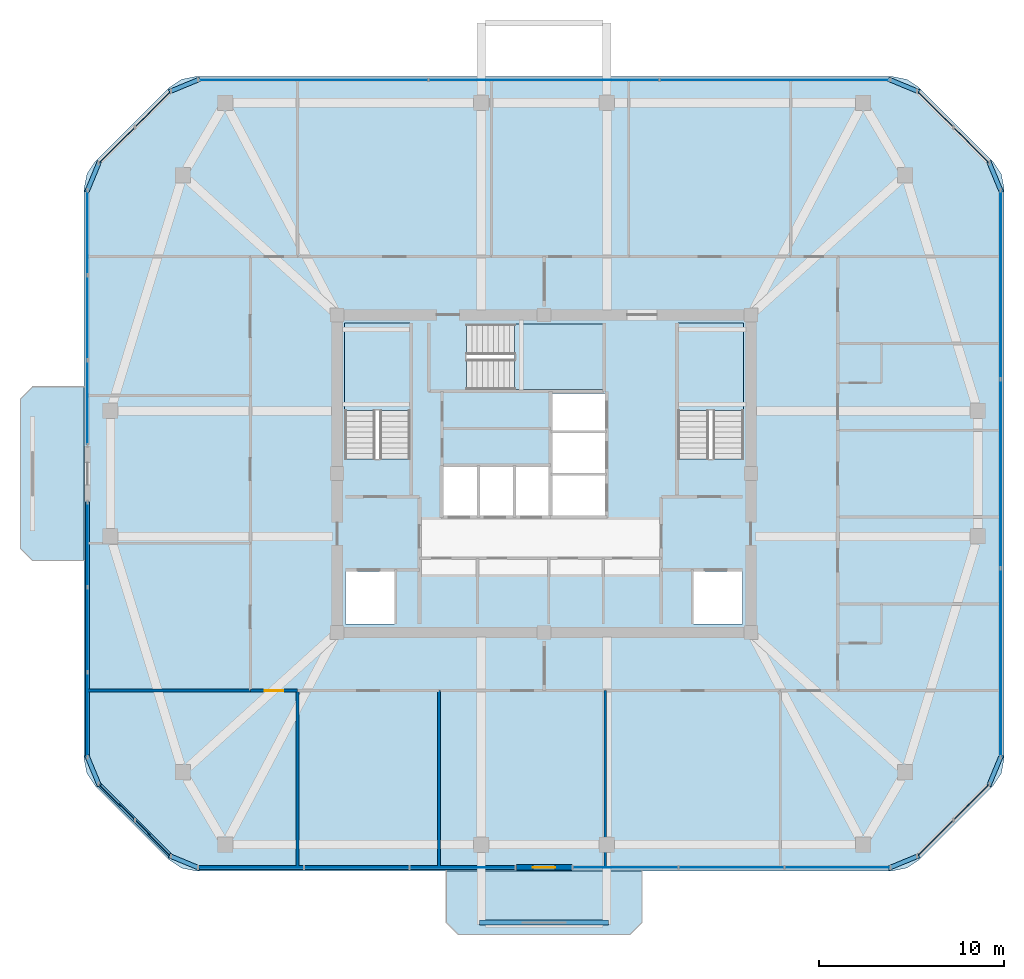
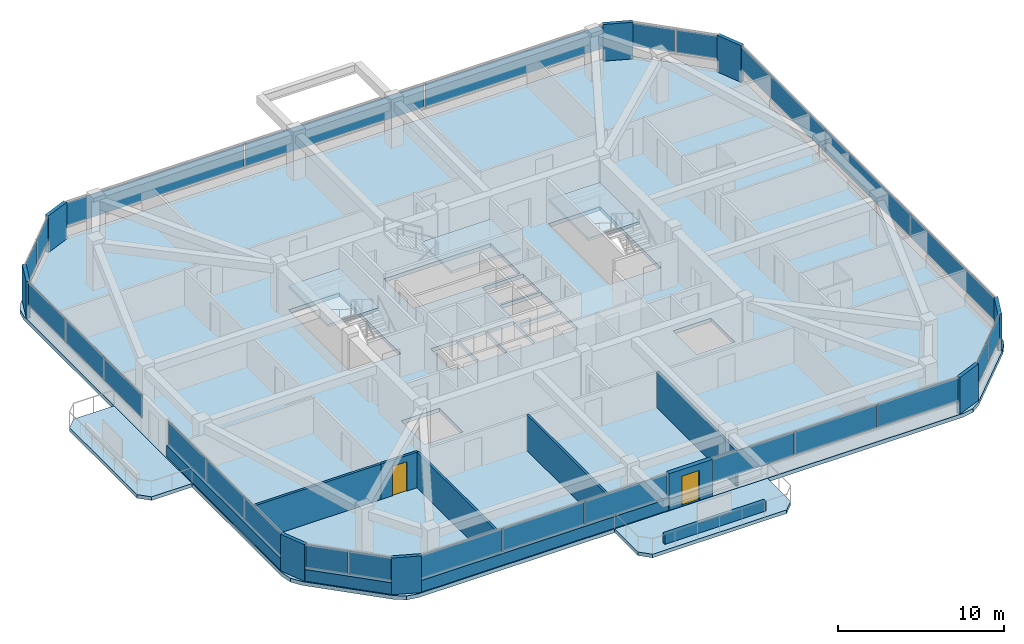
# One storey, part 7 of 13: 34 plates, 10 walls, 6 slabs, 2 doors, 2 openings, 13 elements without a shape of their own.
"""IFC4 building model written with IfcOpenShell, lengths in metres."""

from ifc_helpers import new_model, si_unit, derived_unit, direction, frame, frame_2d, origin, origin_2d, place, context, subcontext, project, spatial, polyline, rectangle, outline, extrude, material, layer, layer_set, type_object, element, fill, aggregate, save


model = new_model("IFC4")

# Units and contexts
model_context = context("Model", 3, precision=1e-05, world=origin(), true_north=direction((0.0, 1.0)))
body_context = subcontext(model_context, "Body", "Model", "MODEL_VIEW")
ifc_project = project(units=[si_unit("LENGTHUNIT", "METRE"), si_unit("AREAUNIT", "SQUARE_METRE"), si_unit("VOLUMEUNIT", "CUBIC_METRE"), si_unit("PLANEANGLEUNIT", "RADIAN"), si_unit("MASSUNIT", "GRAM", prefix="KILO"), derived_unit("THERMALTRANSMITTANCEUNIT", [(si_unit("POWERUNIT", "WATT"), 1), (si_unit("LENGTHUNIT", "METRE"), -2), (si_unit("THERMODYNAMICTEMPERATUREUNIT", "KELVIN"), -1)])], contexts=[model_context])

# Site, building, storey
site_placement = place(None, origin())
site = spatial("IfcSite", under=ifc_project, at=site_placement, CompositionType="ELEMENT")
building_placement = place(site_placement, origin())
building = spatial("IfcBuilding", under=site, at=building_placement, Name="Koralith Skygarden Medical Center", CompositionType="ELEMENT")
storey_placement = place(building_placement, frame((0.0, 0.0, 264.419921875)))
storey = spatial("IfcBuildingStorey", under=building, at=storey_placement, Name="L68", CompositionType="ELEMENT", Elevation=264.419921875)

# Curtain wall, plates
ifc_material_1 = material(Name="Clear Laminated Glass", Category="glass")
curtain_wall_type = type_object("IfcCurtainWallType", Name="CW-6 Zone 5 Upper Clinical Curtain Wall", PredefinedType="NOTDEFINED", material=ifc_material_1)
curtain_wall_1_placement = place(storey_placement, origin())
curtain_wall_1 = element("IfcCurtainWall", 1, at=curtain_wall_1_placement, inside=storey, type_object=curtain_wall_type, Name="Curtain Wall CW-L68-S-L", PredefinedType="NOTDEFINED")
ifc_layer_1 = layer(ifc_material_1, 0.0400390625)
ifc_layer_set_1 = layer_set([ifc_layer_1], Name="Clear Laminated Glass")
plate_type_1 = type_object("IfcPlateType", Name="CW-6 Hurricane Laminated IGU Panel 40", PredefinedType="CURTAIN_PANEL", material=ifc_layer_set_1)
plate_1_placement = place(storey_placement, frame((21.1220703125, 4.580078125, 0.919921875), z_axis=(0.0, 0.0, 1.0), x_axis=(1.0, 0.0, 0.0)))
plate_1 = element("IfcPlate", 2, at=plate_1_placement, type_object=plate_type_1, Name="CW-L68-S-L Glazed Panel 1", PredefinedType="CURTAIN_PANEL", context=body_context, shape_type="SweptSolid", body=[
    extrude(rectangle(XDim=5.64501953125, YDim=0.0400390625, at=origin_2d()), origin(), (0.0, 0.0, 1.0), 1.699951171875),
])
plate_2_placement = place(storey_placement, frame((26.85693359375, 4.580078125, 0.919921875), z_axis=(0.0, 0.0, 1.0), x_axis=(1.0, 0.0, 0.0)))
plate_2 = element("IfcPlate", 3, at=plate_2_placement, type_object=plate_type_1, Name="CW-L68-S-L Glazed Panel 2", PredefinedType="CURTAIN_PANEL", context=body_context, shape_type="SweptSolid", body=[
    extrude(rectangle(XDim=5.64501953125, YDim=0.0400390625, at=origin_2d()), origin(), (0.0, 0.0, 1.0), 1.699951171875),
])
plate_3_placement = place(storey_placement, frame((32.592041015625, 4.580078125, 0.919921875), z_axis=(0.0, 0.0, 1.0), x_axis=(1.0, 0.0, 0.0)))
plate_3 = element("IfcPlate", 4, at=plate_3_placement, type_object=plate_type_1, Name="CW-L68-S-L Glazed Panel 3", PredefinedType="CURTAIN_PANEL", context=body_context, shape_type="SweptSolid", body=[
    extrude(rectangle(XDim=5.64501953125, YDim=0.0400390625, at=origin_2d()), origin(), (0.0, 0.0, 1.0), 1.699951171875),
])
aggregate(curtain_wall_1, [plate_1, plate_2, plate_3])

curtain_wall_2_placement = place(storey_placement, origin())
curtain_wall_2 = element("IfcCurtainWall", 5, at=curtain_wall_2_placement, inside=storey, type_object=curtain_wall_type, Name="Curtain Wall CW-L68-S-R", PredefinedType="NOTDEFINED")
plate_4_placement = place(storey_placement, frame((41.406982421875, 4.580078125, 0.919921875), z_axis=(0.0, 0.0, 1.0), x_axis=(1.0, 0.0, 0.0)))
plate_4 = element("IfcPlate", 6, at=plate_4_placement, type_object=plate_type_1, Name="CW-L68-S-R Glazed Panel 1", PredefinedType="CURTAIN_PANEL", context=body_context, shape_type="SweptSolid", body=[
    extrude(rectangle(XDim=5.64501953125, YDim=0.0400390625, at=origin_2d()), origin(), (0.0, 0.0, 1.0), 1.699951171875),
])
plate_5_placement = place(storey_placement, frame((47.14208984375, 4.580078125, 0.919921875), z_axis=(0.0, 0.0, 1.0), x_axis=(1.0, 0.0, 0.0)))
plate_5 = element("IfcPlate", 7, at=plate_5_placement, type_object=plate_type_1, Name="CW-L68-S-R Glazed Panel 2", PredefinedType="CURTAIN_PANEL", context=body_context, shape_type="SweptSolid", body=[
    extrude(rectangle(XDim=5.64501953125, YDim=0.0400390625, at=origin_2d()), origin(), (0.0, 0.0, 1.0), 1.699951171875),
])
plate_6_placement = place(storey_placement, frame((52.876953125, 4.580078125, 0.919921875), z_axis=(0.0, 0.0, 1.0), x_axis=(1.0, 0.0, 0.0)))
plate_6 = element("IfcPlate", 8, at=plate_6_placement, type_object=plate_type_1, Name="CW-L68-S-R Glazed Panel 3", PredefinedType="CURTAIN_PANEL", context=body_context, shape_type="SweptSolid", body=[
    extrude(rectangle(XDim=5.64501953125, YDim=0.0400390625, at=origin_2d()), origin(), (0.0, 0.0, 1.0), 1.699951171875),
])
aggregate(curtain_wall_2, [plate_4, plate_5, plate_6])

curtain_wall_3_placement = place(storey_placement, origin())
curtain_wall_3 = element("IfcCurtainWall", 9, at=curtain_wall_3_placement, inside=storey, type_object=curtain_wall_type, Name="Curtain Wall CW-L68-SE", PredefinedType="NOTDEFINED")
plate_7_placement = place(storey_placement, frame((58.177001953125, 6.162109375, 0.919921875), z_axis=(0.0, 0.0, 1.0), x_axis=(0.707106781187, 0.707106781187, 0.0)))
plate_7 = element("IfcPlate", 10, at=plate_7_placement, type_object=plate_type_1, Name="CW-L68-SE Glazed Panel 1", PredefinedType="CURTAIN_PANEL", context=body_context, shape_type="SweptSolid", body=[
    extrude(rectangle(XDim=2.68408203125, YDim=0.0400390625, at=origin_2d()), origin(), (0.0, 0.0, 1.0), 1.699951171875),
])
plate_8_placement = place(storey_placement, frame((60.137939453125, 8.123046875, 0.919921875), z_axis=(0.0, 0.0, 1.0), x_axis=(0.707106781187, 0.707106781187, 0.0)))
plate_8 = element("IfcPlate", 11, at=plate_8_placement, type_object=plate_type_1, Name="CW-L68-SE Glazed Panel 2", PredefinedType="CURTAIN_PANEL", context=body_context, shape_type="SweptSolid", body=[
    extrude(rectangle(XDim=2.68408203125, YDim=0.0400390625, at=origin_2d()), origin(), (0.0, 0.0, 1.0), 1.699951171875),
])
aggregate(curtain_wall_3, [plate_7, plate_8])

curtain_wall_4_placement = place(storey_placement, origin())
curtain_wall_4 = element("IfcCurtainWall", 12, at=curtain_wall_4_placement, inside=storey, type_object=curtain_wall_type, Name="Curtain Wall CW-L68-E", PredefinedType="NOTDEFINED")
plate_9_placement = place(storey_placement, frame((61.719970703125, 15.669921875, 0.919921875), z_axis=(0.0, 0.0, 1.0), x_axis=(0.0, 1.0, 0.0)))
plate_9 = element("IfcPlate", 13, at=plate_9_placement, type_object=plate_type_1, Name="CW-L68-E Glazed Panel 1", PredefinedType="CURTAIN_PANEL", context=body_context, shape_type="SweptSolid", body=[
    extrude(rectangle(XDim=10.139892578125, YDim=0.0400390625, at=origin_2d()), origin(), (0.0, 0.0, 1.0), 1.699951171875),
])
plate_10_placement = place(storey_placement, frame((61.719970703125, 25.89990234375, 0.919921875), z_axis=(0.0, 0.0, 1.0), x_axis=(0.0, 1.0, 0.0)))
plate_10 = element("IfcPlate", 14, at=plate_10_placement, type_object=plate_type_1, Name="CW-L68-E Glazed Panel 2", PredefinedType="CURTAIN_PANEL", context=body_context, shape_type="SweptSolid", body=[
    extrude(rectangle(XDim=10.139892578125, YDim=0.0400390625, at=origin_2d()), origin(), (0.0, 0.0, 1.0), 1.699951171875),
])
plate_11_placement = place(storey_placement, frame((61.719970703125, 36.1298828125, 0.919921875), z_axis=(0.0, 0.0, 1.0), x_axis=(0.0, 1.0, 0.0)))
plate_11 = element("IfcPlate", 15, at=plate_11_placement, type_object=plate_type_1, Name="CW-L68-E Glazed Panel 3", PredefinedType="CURTAIN_PANEL", context=body_context, shape_type="SweptSolid", body=[
    extrude(rectangle(XDim=10.139892578125, YDim=0.0400390625, at=origin_2d()), origin(), (0.0, 0.0, 1.0), 1.699951171875),
])
aggregate(curtain_wall_4, [plate_9, plate_10, plate_11])

curtain_wall_5_placement = place(storey_placement, origin())
curtain_wall_5 = element("IfcCurtainWall", 16, at=curtain_wall_5_placement, inside=storey, type_object=curtain_wall_type, Name="Curtain Wall CW-L68-NE", PredefinedType="NOTDEFINED")
plate_12_placement = place(storey_placement, frame((60.137939453125, 43.677001953125, 0.919921875), z_axis=(0.0, 0.0, 1.0), x_axis=(-0.707106781187, 0.707106781187, 0.0)))
plate_12 = element("IfcPlate", 17, at=plate_12_placement, type_object=plate_type_1, Name="CW-L68-NE Glazed Panel 1", PredefinedType="CURTAIN_PANEL", context=body_context, shape_type="SweptSolid", body=[
    extrude(rectangle(XDim=2.68408203125, YDim=0.0400390625, at=origin_2d()), origin(), (0.0, 0.0, 1.0), 1.699951171875),
])
plate_13_placement = place(storey_placement, frame((58.177001953125, 45.637939453125, 0.919921875), z_axis=(0.0, 0.0, 1.0), x_axis=(-0.707106781187, 0.707106781187, 0.0)))
plate_13 = element("IfcPlate", 18, at=plate_13_placement, type_object=plate_type_1, Name="CW-L68-NE Glazed Panel 2", PredefinedType="CURTAIN_PANEL", context=body_context, shape_type="SweptSolid", body=[
    extrude(rectangle(XDim=2.68408203125, YDim=0.0400390625, at=origin_2d()), origin(), (0.0, 0.0, 1.0), 1.699951171875),
])
aggregate(curtain_wall_5, [plate_12, plate_13])

curtain_wall_6_placement = place(storey_placement, origin())
curtain_wall_6 = element("IfcCurtainWall", 19, at=curtain_wall_6_placement, inside=storey, type_object=curtain_wall_type, Name="Curtain Wall CW-L68-N", PredefinedType="NOTDEFINED")
plate_14_placement = place(storey_placement, frame((49.4970703125, 47.219970703125, 0.919921875), z_axis=(0.0, 0.0, 1.0), x_axis=(-1.0, 0.0, 0.0)))
plate_14 = element("IfcPlate", 20, at=plate_14_placement, type_object=plate_type_1, Name="CW-L68-N Glazed Panel 1", PredefinedType="CURTAIN_PANEL", context=body_context, shape_type="SweptSolid", body=[
    extrude(rectangle(XDim=12.406982421875, YDim=0.0400390625, at=origin_2d()), origin(), (0.0, 0.0, 1.0), 1.699951171875),
])
plate_15_placement = place(storey_placement, frame((37.0, 47.219970703125, 0.919921875), z_axis=(0.0, 0.0, 1.0), x_axis=(-1.0, 0.0, 0.0)))
plate_15 = element("IfcPlate", 21, at=plate_15_placement, type_object=plate_type_1, Name="CW-L68-N Glazed Panel 2", PredefinedType="CURTAIN_PANEL", context=body_context, shape_type="SweptSolid", body=[
    extrude(rectangle(XDim=12.406982421875, YDim=0.0400390625, at=origin_2d()), origin(), (0.0, 0.0, 1.0), 1.699951171875),
])
plate_16_placement = place(storey_placement, frame((24.5029296875, 47.219970703125, 0.919921875), z_axis=(0.0, 0.0, 1.0), x_axis=(-1.0, 0.0, 0.0)))
plate_16 = element("IfcPlate", 22, at=plate_16_placement, type_object=plate_type_1, Name="CW-L68-N Glazed Panel 3", PredefinedType="CURTAIN_PANEL", context=body_context, shape_type="SweptSolid", body=[
    extrude(rectangle(XDim=12.406982421875, YDim=0.0400390625, at=origin_2d()), origin(), (0.0, 0.0, 1.0), 1.699951171875),
])
aggregate(curtain_wall_6, [plate_14, plate_15, plate_16])

curtain_wall_7_placement = place(storey_placement, origin())
curtain_wall_7 = element("IfcCurtainWall", 23, at=curtain_wall_7_placement, inside=storey, type_object=curtain_wall_type, Name="Curtain Wall CW-L68-NW", PredefinedType="NOTDEFINED")
plate_17_placement = place(storey_placement, frame((15.822998046875, 45.637939453125, 0.919921875), z_axis=(0.0, 0.0, 1.0), x_axis=(-0.707106781187, -0.707106781187, 0.0)))
plate_17 = element("IfcPlate", 24, at=plate_17_placement, type_object=plate_type_1, Name="CW-L68-NW Glazed Panel 1", PredefinedType="CURTAIN_PANEL", context=body_context, shape_type="SweptSolid", body=[
    extrude(rectangle(XDim=2.68408203125, YDim=0.0400390625, at=origin_2d()), origin(), (0.0, 0.0, 1.0), 1.699951171875),
])
plate_18_placement = place(storey_placement, frame((13.862060546875, 43.677001953125, 0.919921875), z_axis=(0.0, 0.0, 1.0), x_axis=(-0.707106781187, -0.707106781187, 0.0)))
plate_18 = element("IfcPlate", 25, at=plate_18_placement, type_object=plate_type_1, Name="CW-L68-NW Glazed Panel 2", PredefinedType="CURTAIN_PANEL", context=body_context, shape_type="SweptSolid", body=[
    extrude(rectangle(XDim=2.68408203125, YDim=0.0400390625, at=origin_2d()), origin(), (0.0, 0.0, 1.0), 1.699951171875),
])
aggregate(curtain_wall_7, [plate_17, plate_18])

curtain_wall_8_placement = place(storey_placement, origin())
curtain_wall_8 = element("IfcCurtainWall", 26, at=curtain_wall_8_placement, inside=storey, type_object=curtain_wall_type, Name="Curtain Wall CW-L68-W-L", PredefinedType="NOTDEFINED")
plate_19_placement = place(storey_placement, frame((12.280029296875, 38.944091796875, 0.919921875), z_axis=(0.0, 0.0, 1.0), x_axis=(0.0, -1.0, 0.0)))
plate_19 = element("IfcPlate", 27, at=plate_19_placement, type_object=plate_type_1, Name="CW-L68-W-L Glazed Panel 1", PredefinedType="CURTAIN_PANEL", context=body_context, shape_type="SweptSolid", body=[
    extrude(rectangle(XDim=4.511962890625, YDim=0.0400390625, at=origin_2d()), origin(), (0.0, 0.0, 1.0), 1.699951171875),
])
plate_20_placement = place(storey_placement, frame((12.280029296875, 34.343017578125, 0.919921875), z_axis=(0.0, 0.0, 1.0), x_axis=(0.0, -1.0, 0.0)))
plate_20 = element("IfcPlate", 28, at=plate_20_placement, type_object=plate_type_1, Name="CW-L68-W-L Glazed Panel 2", PredefinedType="CURTAIN_PANEL", context=body_context, shape_type="SweptSolid", body=[
    extrude(rectangle(XDim=4.511962890625, YDim=0.0400390625, at=origin_2d()), origin(), (0.0, 0.0, 1.0), 1.699951171875),
])
plate_21_placement = place(storey_placement, frame((12.280029296875, 29.740966796875, 0.919921875), z_axis=(0.0, 0.0, 1.0), x_axis=(0.0, -1.0, 0.0)))
plate_21 = element("IfcPlate", 29, at=plate_21_placement, type_object=plate_type_1, Name="CW-L68-W-L Glazed Panel 3", PredefinedType="CURTAIN_PANEL", context=body_context, shape_type="SweptSolid", body=[
    extrude(rectangle(XDim=4.511962890625, YDim=0.0400390625, at=origin_2d()), origin(), (0.0, 0.0, 1.0), 1.699951171875),
])
aggregate(curtain_wall_8, [plate_19, plate_20, plate_21])

curtain_wall_9_placement = place(storey_placement, origin())
curtain_wall_9 = element("IfcCurtainWall", 30, at=curtain_wall_9_placement, inside=storey, type_object=curtain_wall_type, Name="Curtain Wall CW-L68-W-R", PredefinedType="NOTDEFINED")
plate_22_placement = place(storey_placement, frame((12.280029296875, 22.05908203125, 0.919921875), z_axis=(0.0, 0.0, 1.0), x_axis=(0.0, -1.0, 0.0)))
plate_22 = element("IfcPlate", 31, at=plate_22_placement, type_object=plate_type_1, Name="CW-L68-W-R Glazed Panel 1", PredefinedType="CURTAIN_PANEL", context=body_context, shape_type="SweptSolid", body=[
    extrude(rectangle(XDim=4.511962890625, YDim=0.0400390625, at=origin_2d()), origin(), (0.0, 0.0, 1.0), 1.699951171875),
])
plate_23_placement = place(storey_placement, frame((12.280029296875, 17.45703125, 0.919921875), z_axis=(0.0, 0.0, 1.0), x_axis=(0.0, -1.0, 0.0)))
plate_23 = element("IfcPlate", 32, at=plate_23_placement, type_object=plate_type_1, Name="CW-L68-W-R Glazed Panel 2", PredefinedType="CURTAIN_PANEL", context=body_context, shape_type="SweptSolid", body=[
    extrude(rectangle(XDim=4.511962890625, YDim=0.0400390625, at=origin_2d()), origin(), (0.0, 0.0, 1.0), 1.699951171875),
])
plate_24_placement = place(storey_placement, frame((12.280029296875, 12.85595703125, 0.919921875), z_axis=(0.0, 0.0, 1.0), x_axis=(0.0, -1.0, 0.0)))
plate_24 = element("IfcPlate", 33, at=plate_24_placement, type_object=plate_type_1, Name="CW-L68-W-R Glazed Panel 3", PredefinedType="CURTAIN_PANEL", context=body_context, shape_type="SweptSolid", body=[
    extrude(rectangle(XDim=4.511962890625, YDim=0.0400390625, at=origin_2d()), origin(), (0.0, 0.0, 1.0), 1.699951171875),
])
aggregate(curtain_wall_9, [plate_22, plate_23, plate_24])

curtain_wall_10_placement = place(storey_placement, origin())
curtain_wall_10 = element("IfcCurtainWall", 34, at=curtain_wall_10_placement, inside=storey, type_object=curtain_wall_type, Name="Curtain Wall CW-L68-SW", PredefinedType="NOTDEFINED")
plate_25_placement = place(storey_placement, frame((13.862060546875, 8.123046875, 0.919921875), z_axis=(0.0, 0.0, 1.0), x_axis=(0.707106781187, -0.707106781187, 0.0)))
plate_25 = element("IfcPlate", 35, at=plate_25_placement, type_object=plate_type_1, Name="CW-L68-SW Glazed Panel 1", PredefinedType="CURTAIN_PANEL", context=body_context, shape_type="SweptSolid", body=[
    extrude(rectangle(XDim=2.68408203125, YDim=0.0400390625, at=origin_2d()), origin(), (0.0, 0.0, 1.0), 1.699951171875),
])
plate_26_placement = place(storey_placement, frame((15.822998046875, 6.162109375, 0.919921875), z_axis=(0.0, 0.0, 1.0), x_axis=(0.707106781187, -0.707106781187, 0.0)))
plate_26 = element("IfcPlate", 36, at=plate_26_placement, type_object=plate_type_1, Name="CW-L68-SW Glazed Panel 2", PredefinedType="CURTAIN_PANEL", context=body_context, shape_type="SweptSolid", body=[
    extrude(rectangle(XDim=2.68408203125, YDim=0.0400390625, at=origin_2d()), origin(), (0.0, 0.0, 1.0), 1.699951171875),
])
aggregate(curtain_wall_10, [plate_25, plate_26])

# Slabs
ifc_material_2 = material(Name="Concrete C45/55", Category="concrete")
ifc_layer_2 = layer(ifc_material_2, 0.260009765625)
ifc_layer_set_2 = layer_set([ifc_layer_2], Name="Concrete C45/55")
slab_type_1 = type_object("IfcSlabType", Name="Cantilevered Planted Balcony Slab 260", PredefinedType="FLOOR", material=ifc_layer_set_2)
slab_1_placement = place(storey_placement, frame((0.0, 0.0, -0.260009765625)))
element("IfcSlab", 37, at=slab_1_placement, inside=storey, type_object=slab_type_1, Name="L68 S Planted Sky-Garden Balcony Slab", PredefinedType="FLOOR", context=body_context, shape_type="SweptSolid", body=[
    extrude(outline(polyline([(32.35009765625, 0.949951171875), (41.64990234375, 0.949951171875), (42.300048828125, 1.60009765625), (42.300048828125, 4.39990234375), (31.699951171875, 4.39990234375), (31.699951171875, 1.60009765625), (32.35009765625, 0.949951171875)])), origin(), (0.0, 0.0, 1.0), 0.260009765625),
])
slab_2_placement = place(storey_placement, frame((0.0, 0.0, -0.260009765625)))
element("IfcSlab", 38, at=slab_2_placement, inside=storey, type_object=slab_type_1, Name="L68 W Planted Sky-Garden Balcony Slab", PredefinedType="FLOOR", context=body_context, shape_type="SweptSolid", body=[
    extrude(outline(polyline([(9.300048828125, 21.199951171875), (12.10009765625, 21.199951171875), (12.10009765625, 30.60009765625), (9.300048828125, 30.60009765625), (8.64990234375, 29.949951171875), (8.64990234375, 21.85009765625), (9.300048828125, 21.199951171875)])), origin(), (0.0, 0.0, 1.0), 0.260009765625),
])

# Stair, slab
stair_type = type_object("IfcStairType", Name="Core Exit Dogleg Concrete Stair", PredefinedType="HALF_TURN_STAIR", material=ifc_material_2)
stair_1_placement = place(storey_placement, origin())
stair_1 = element("IfcStair", 39, at=stair_1_placement, inside=storey, type_object=stair_type, Name="L68 Smokeproof Exit Stair ST1", PredefinedType="HALF_TURN_STAIR")
ifc_layer_3 = layer(ifc_material_2, 0.199951171875)
ifc_layer_set_3 = layer_set([ifc_layer_3], Name="Concrete C45/55")
slab_type_2 = type_object("IfcSlabType", Name="Core Exit Concrete Stair Landing 200", PredefinedType="LANDING", material=ifc_layer_set_3)
slab_3_placement = place(storey_placement, frame((0.0, 0.0, 1.60009765625)))
slab_3 = element("IfcSlab", 40, at=slab_3_placement, type_object=slab_type_2, Name="ST1 landing 1", PredefinedType="LANDING", context=body_context, shape_type="SweptSolid", body=[
    extrude(outline(polyline([(29.75, 29.31005859375), (29.75, 34.050048828125), (26.199951171875, 34.050048828125), (26.199951171875, 29.31005859375), (29.75, 29.31005859375)])), origin(), (0.0, 0.0, 1.0), 0.199951171875),
])
aggregate(stair_1, [slab_3])

stair_2_placement = place(storey_placement, origin())
stair_2 = element("IfcStair", 41, at=stair_2_placement, inside=storey, type_object=stair_type, Name="L68 Smokeproof Exit Stair ST2", PredefinedType="HALF_TURN_STAIR")
slab_4_placement = place(storey_placement, frame((0.0, 0.0, 1.60009765625)))
slab_4 = element("IfcSlab", 42, at=slab_4_placement, type_object=slab_type_2, Name="ST2 landing 1", PredefinedType="LANDING", context=body_context, shape_type="SweptSolid", body=[
    extrude(outline(polyline([(47.800048828125, 29.31005859375), (47.800048828125, 34.050048828125), (44.25, 34.050048828125), (44.25, 29.31005859375), (47.800048828125, 29.31005859375)])), origin(), (0.0, 0.0, 1.0), 0.199951171875),
])
aggregate(stair_2, [slab_4])

stair_3_placement = place(storey_placement, origin())
stair_3 = element("IfcStair", 43, at=stair_3_placement, inside=storey, type_object=stair_type, Name="L68 Smokeproof Exit Stair ST3", PredefinedType="HALF_TURN_STAIR")
slab_5_placement = place(storey_placement, frame((0.0, 0.0, 1.60009765625)))
slab_5 = element("IfcSlab", 44, at=slab_5_placement, type_object=slab_type_2, Name="ST3 landing 1", PredefinedType="LANDING", context=body_context, shape_type="SweptSolid", body=[
    extrude(outline(polyline([(35.409912109375, 30.449951171875), (40.199951171875, 30.449951171875), (40.199951171875, 34.0), (35.409912109375, 34.0), (35.409912109375, 30.449951171875)])), origin(), (0.0, 0.0, 1.0), 0.199951171875),
])
aggregate(stair_3, [slab_5])

# Slab
ifc_layer_4 = layer(ifc_material_2, 0.280029296875)
ifc_layer_set_4 = layer_set([ifc_layer_4], Name="Concrete C45/55")
slab_type_3 = type_object("IfcSlabType", Name="Post-Tensioned Ward Floor Plate 280", PredefinedType="FLOOR", material=ifc_layer_set_4)
slab_6_placement = place(storey_placement, frame((0.0, 0.0, -0.280029296875)))
element("IfcSlab", 45, at=slab_6_placement, inside=storey, type_object=slab_type_3, Name="Level L68 Structural Floor Slab", PredefinedType="FLOOR", context=body_context, shape_type="SweptSolid", body=[
    extrude(outline(polyline([(16.714111328125, 4.986083984375), (17.363037109375, 4.552001953125), (18.1279296875, 4.39990234375), (55.8720703125, 4.39990234375), (56.636962890625, 4.552001953125), (57.285888671875, 4.986083984375), (61.31396484375, 9.013916015625), (61.748046875, 9.6630859375), (61.89990234375, 10.427978515625), (61.89990234375, 41.3720703125), (61.748046875, 42.136962890625), (61.31396484375, 42.785888671875), (57.285888671875, 46.81396484375), (56.636962890625, 47.248046875), (55.8720703125, 47.39990234375), (18.1279296875, 47.39990234375), (17.363037109375, 47.248046875), (16.714111328125, 46.81396484375), (12.68603515625, 42.785888671875), (12.251953125, 42.136962890625), (12.10009765625, 41.3720703125), (12.10009765625, 10.427978515625), (12.251953125, 9.6630859375), (12.68603515625, 9.013916015625), (16.714111328125, 4.986083984375)]), holes=[polyline([(26.199951171875, 26.705078125), (29.75, 26.705078125), (29.75, 34.050048828125), (26.199951171875, 34.050048828125), (26.199951171875, 26.705078125)]), polyline([(44.25, 26.705078125), (47.800048828125, 26.705078125), (47.800048828125, 34.050048828125), (44.25, 34.050048828125), (44.25, 26.705078125)]), polyline([(32.804931640625, 30.449951171875), (40.199951171875, 30.449951171875), (40.199951171875, 34.0), (32.804931640625, 34.0), (32.804931640625, 30.449951171875)]), polyline([(26.25, 17.75), (28.89990234375, 17.75), (28.89990234375, 20.60009765625), (26.25, 20.60009765625), (26.25, 17.75)]), polyline([(45.10009765625, 17.75), (47.75, 17.75), (47.75, 20.60009765625), (45.10009765625, 20.60009765625), (45.10009765625, 17.75)]), polyline([(31.550048828125, 23.64990234375), (33.39990234375, 23.64990234375), (33.39990234375, 26.25), (31.550048828125, 26.25), (31.550048828125, 23.64990234375)]), polyline([(33.5, 23.64990234375), (35.35009765625, 23.64990234375), (35.35009765625, 26.25), (33.5, 26.25), (33.5, 23.64990234375)]), polyline([(35.449951171875, 23.64990234375), (37.300048828125, 23.64990234375), (37.300048828125, 26.25), (35.449951171875, 26.25), (35.449951171875, 23.64990234375)]), polyline([(37.449951171875, 23.64990234375), (40.300048828125, 23.64990234375), (40.300048828125, 25.800048828125), (37.449951171875, 25.800048828125), (37.449951171875, 23.64990234375)]), polyline([(37.449951171875, 25.949951171875), (40.300048828125, 25.949951171875), (40.300048828125, 28.10009765625), (37.449951171875, 28.10009765625), (37.449951171875, 25.949951171875)]), polyline([(37.449951171875, 28.25), (40.300048828125, 28.25), (40.300048828125, 30.25), (37.449951171875, 30.25), (37.449951171875, 28.25)])]), origin(), (0.0, 0.0, 1.0), 0.280029296875),
])

# Plates
ifc_material_3 = material(Name="Warm Oolitic Limestone Cladding", Category="masonry")
ifc_layer_5 = layer(ifc_material_3, 0.239990234375)
ifc_layer_set_5 = layer_set([ifc_layer_5], Name="Warm Oolitic Limestone Cladding")
plate_type_2 = type_object("IfcPlateType", Name="Rounded-Corner Oolitic Limestone Cladding Panel 240", PredefinedType="USERDEFINED", material=ifc_layer_set_5)
for number, where, z_axis, x_axis, name in (
    (46, (56.470947265625, 4.8798828125, 0.0), (0.0, 0.0, 1.0), (0.92388487569, 0.382670532536, 0.0), "L68 Rounded-Corner Limestone Pier 1"),
    (47, (61.4189453125, 9.8291015625, 0.0), (0.0, 0.0, 1.0), (0.382670532536, 0.92388487569, 0.0), "L68 Rounded-Corner Limestone Pier 2"),
    (48, (61.4189453125, 41.970947265625, 0.0), (0.0, 0.0, 1.0), (-0.382670532536, 0.92388487569, 0.0), "L68 Rounded-Corner Limestone Pier 3"),
    (49, (56.470947265625, 46.9189453125, 0.0), (0.0, 0.0, 1.0), (-0.92388487569, 0.382670532536, 0.0), "L68 Rounded-Corner Limestone Pier 4"),
    (50, (17.529052734375, 46.9189453125, 0.0), (0.0, 0.0, 1.0), (-0.92388487569, -0.382670532536, 0.0), "L68 Rounded-Corner Limestone Pier 5"),
    (51, (12.5810546875, 41.970947265625, 0.0), (0.0, 0.0, 1.0), (-0.382670532536, -0.92388487569, 0.0), "L68 Rounded-Corner Limestone Pier 6"),
    (52, (12.5810546875, 9.8291015625, 0.0), (0.0, 0.0, 1.0), (0.382670532536, -0.92388487569, 0.0), "L68 Rounded-Corner Limestone Pier 7"),
    (53, (17.529052734375, 4.8798828125, 0.0), (0.0, 0.0, 1.0), (0.92388487569, -0.382670532536, 0.0), "L68 Rounded-Corner Limestone Pier 8"),
):
    element("IfcPlate", number, at=place(storey_placement, frame(where, z_axis=z_axis, x_axis=x_axis)), inside=storey, type_object=plate_type_2, Name=name, ObjectType="LIMESTONE CLADDING", PredefinedType="USERDEFINED", context=body_context, shape_type="SweptSolid", body=[
        extrude(rectangle(XDim=1.81103515625, YDim=0.239990234375, at=origin_2d()), origin(), (0.0, 0.0, 1.0), 2.68994140625),
    ])

# Walls
ifc_material_4 = material(Name="Gypsum Board Partition")
ifc_layer_6 = layer(ifc_material_4, 0.14990234375)
ifc_layer_set_6 = layer_set([ifc_layer_6], Name="Gypsum Board Partition")
wall_type_1 = type_object("IfcWallType", Name="Clinical Acoustic Partition 150", PredefinedType="PARTITIONING", material=ifc_layer_set_6)
for number, where, z_axis, x_axis, name in (
    (54, (23.64990234375, 14.14990234375, 0.0), (0.0, 0.0, 1.0), (0.0, -1.0, 0.0), "L68 Clinical Acoustic Partition 150 W-PART-L68-S-01"),
    (55, (31.31689453125, 14.14990234375, 0.0), (0.0, 0.0, 1.0), (0.0, -1.0, 0.0), "L68 Clinical Acoustic Partition 150 W-PART-L68-S-02"),
    (56, (40.31494140625, 14.14990234375, 0.0), (0.0, 0.0, 1.0), (0.0, -1.0, 0.0), "L68 Clinical Acoustic Partition 150 W-PART-L68-S-03"),
):
    element("IfcWall", number, at=place(storey_placement, frame(where, z_axis=z_axis, x_axis=x_axis)), inside=storey, type_object=wall_type_1, Name=name, PredefinedType="PARTITIONING", context=body_context, shape_type="SweptSolid", body=[
        extrude(rectangle(XDim=9.5498046875, YDim=0.14990234375, at=frame_2d((4.77490234375, 0.0))), origin(), (0.0, 0.0, 1.0), 2.610107421875),
    ])
ifc_layer_7 = layer(ifc_material_4, 0.1650390625)
ifc_layer_set_7 = layer_set([ifc_layer_7], Name="Gypsum Board Partition")
wall_type_2 = type_object("IfcWallType", Name="Clinical Corridor Partition 165", PredefinedType="PARTITIONING", material=ifc_layer_set_7)
wall_1_placement = place(storey_placement, frame((12.300048828125, 14.14990234375, 0.0), z_axis=(0.0, 0.0, 1.0), x_axis=(1.0, 0.0, 0.0)))
element("IfcWall", 57, at=wall_1_placement, inside=storey, type_object=wall_type_2, Name="L68 Clinical Corridor Partition 165 W-WB-L68-SW", PredefinedType="PARTITIONING", context=body_context, shape_type="SweptSolid", body=[
    extrude(rectangle(XDim=8.800048828125, YDim=0.1650390625, at=frame_2d((4.39990234375, 0.0))), origin(), (0.0, 0.0, 1.0), 2.610107421875),
])

# Wall, opening, door
wall_2_placement = place(storey_placement, frame((21.10009765625, 14.14990234375, 0.0), z_axis=(0.0, 0.0, 1.0), x_axis=(1.0, 0.0, 0.0)))
wall_2 = element("IfcWall", 58, at=wall_2_placement, inside=storey, type_object=wall_type_2, Name="L68 Clinical Corridor Partition 165 W-CORR-L68-S-01", PredefinedType="PARTITIONING", context=body_context, shape_type="SweptSolid", body=[
    extrude(rectangle(XDim=2.5498046875, YDim=0.1650390625, at=frame_2d((1.27490234375, 0.0))), origin(), (0.0, 0.0, 1.0), 2.610107421875),
])
opening_1_placement = place(wall_2_placement, frame((0.77490234375, 0.0, 0.0)))
opening_1 = element("IfcOpeningElement", 59, at=opening_1_placement, cuts=wall_2, Name="Opening D-SUP", PredefinedType="OPENING", context=body_context, shape_type="SweptSolid", body=[
    extrude(rectangle(XDim=1.0, YDim=2.14990234375, at=frame_2d((0.5, 1.074951171875))), frame((0.0, 0.092529296875, 0.0), z_axis=(0.0, -1.0, 0.0), x_axis=(1.0, 0.0, 0.0)), (0.0, 0.0, 1.0), 0.18505859375),
])
ifc_material_5 = material(Name="Aluminium 6063-T6", Category="aluminium")
door_type_1 = type_object("IfcDoorType", Name="Clinical Support Door D-SUP 1000", OperationType="NOTDEFINED", PredefinedType="DOOR", material=ifc_material_5)
door_1_placement = place(opening_1_placement, frame((1.0, 0.0, 0.0), z_axis=(0.0, 0.0, 1.0), x_axis=(-1.0, 0.0, 0.0)))
door_1 = element("IfcDoor", 60, at=door_1_placement, inside=storey, type_object=door_type_1, Name="L68 PPE Isolation Supply Store 06 Door", OperationType="SINGLE_SWING_LEFT", OverallHeight=2.14990234375, OverallWidth=1.0, PredefinedType="DOOR", context=body_context, shape_type="SweptSolid", body=[
    extrude(rectangle(XDim=1.0, YDim=2.14990234375, at=frame_2d((0.5, 1.074951171875))), frame((0.0, 0.02490234375, 0.0), z_axis=(0.0, -1.0, 0.0), x_axis=(1.0, 0.0, 0.0)), (0.0, 0.0, 1.0), 0.050048828125),
])
fill(opening_1, door_1)

# Walls
ifc_layer_8 = layer(ifc_material_3, 0.239990234375)
ifc_layer_set_8 = layer_set([ifc_layer_8], Name="Warm Oolitic Limestone Cladding")
wall_type_3 = type_object("IfcWallType", Name="Limestone Spandrel Sill Backup Wall 240", PredefinedType="SOLIDWALL", material=ifc_layer_set_8)
wall_3_placement = place(storey_placement, frame((18.2548828125, 4.580078125, 0.0), z_axis=(0.0, 0.0, 1.0), x_axis=(1.0, 0.0, 0.0)))
element("IfcWall", 61, at=wall_3_placement, inside=storey, type_object=wall_type_3, Name="L68 Sill Spandrel S-L", PredefinedType="SOLIDWALL", context=body_context, shape_type="SweptSolid", body=[
    extrude(rectangle(XDim=17.2041015625, YDim=0.239990234375, at=frame_2d((8.60205078125, 0.0))), origin(), (0.0, 0.0, 1.0), 0.85009765625),
])
wall_4_placement = place(storey_placement, frame((12.280029296875, 24.360107421875, 0.0), z_axis=(0.0, 0.0, 1.0), x_axis=(0.0, -1.0, 0.0)))
element("IfcWall", 62, at=wall_4_placement, inside=storey, type_object=wall_type_3, Name="L68 Sill Spandrel W-R", PredefinedType="SOLIDWALL", context=body_context, shape_type="SweptSolid", body=[
    extrude(rectangle(XDim=13.80517578125, YDim=0.239990234375, at=frame_2d((6.902587890625, 0.0))), origin(), (0.0, 0.0, 1.0), 0.85009765625),
])
wall_5_placement = place(storey_placement, frame((12.881103515625, 9.10400390625, 0.0), z_axis=(0.0, 0.0, 1.0), x_axis=(0.707084777957, -0.707128783731, 0.0)))
element("IfcWall", 63, at=wall_5_placement, inside=storey, type_object=wall_type_3, Name="L68 Sill Spandrel SW", PredefinedType="SOLIDWALL", context=body_context, shape_type="SweptSolid", body=[
    extrude(rectangle(XDim=5.5478515625, YDim=0.239990234375, at=frame_2d((2.77392578125, 0.0))), origin(), (0.0, 0.0, 1.0), 0.85009765625),
])

# Wall, opening, door
ifc_layer_9 = layer(ifc_material_3, 0.300048828125)
ifc_layer_set_9 = layer_set([ifc_layer_9], Name="Warm Oolitic Limestone Cladding")
wall_type_4 = type_object("IfcWallType", Name="Oolitic Limestone Insulated Facade Wall 300", PredefinedType="SOLIDWALL", material=ifc_layer_set_9)
wall_6_placement = place(storey_placement, frame((35.4990234375, 4.580078125, 0.0), z_axis=(0.0, 0.0, 1.0), x_axis=(1.0, 0.0, 0.0)))
wall_6 = element("IfcWall", 64, at=wall_6_placement, inside=storey, type_object=wall_type_4, Name="L68 Terrace Portal Wall S", PredefinedType="SOLIDWALL", context=body_context, shape_type="SweptSolid", body=[
    extrude(rectangle(XDim=3.0, YDim=0.300048828125, at=frame_2d((1.5, 0.0))), origin(), (0.0, 0.0, 1.0), 2.690185546875),
])
opening_2_placement = place(wall_6_placement, frame((0.89990234375, 0.0, 0.0)))
opening_2 = element("IfcOpeningElement", 65, at=opening_2_placement, cuts=wall_6, Name="Opening D-BAL", PredefinedType="OPENING", context=body_context, shape_type="SweptSolid", body=[
    extrude(rectangle(XDim=1.199951171875, YDim=2.199951171875, at=frame_2d((0.60009765625, 1.10009765625))), frame((0.0, 0.159912109375, 0.0), z_axis=(0.0, -1.0, 0.0), x_axis=(1.0, 0.0, 0.0)), (0.0, 0.0, 1.0), 0.320068359375),
])
door_type_2 = type_object("IfcDoorType", Name="Planted Balcony Glazed Terrace Door D-BAL 1200", OperationType="NOTDEFINED", PredefinedType="DOOR", material=ifc_material_5)
door_2_placement = place(opening_2_placement, origin())
door_2 = element("IfcDoor", 66, at=door_2_placement, inside=storey, type_object=door_type_2, Name="L68 S Outdoor Terrace Access Door", OperationType="SINGLE_SWING_LEFT", OverallHeight=2.199951171875, OverallWidth=1.199951171875, PredefinedType="DOOR", context=body_context, shape_type="SweptSolid", body=[
    extrude(rectangle(XDim=1.199951171875, YDim=2.199951171875, at=frame_2d((0.60009765625, 1.10009765625))), frame((0.0, 0.02490234375, 0.0), z_axis=(0.0, -1.0, 0.0), x_axis=(1.0, 0.0, 0.0)), (0.0, 0.0, 1.0), 0.050048828125),
])
fill(opening_2, door_2)

# Wall
ifc_material_6 = material(Name="Precast concrete C40/50", Category="concrete")
ifc_layer_10 = layer(ifc_material_6, 0.25)
ifc_layer_set_10 = layer_set([ifc_layer_10], Name="Precast concrete C40/50")
wall_type_5 = type_object("IfcWallType", Name="Structural Concrete Balcony Planter Kerb 250", PredefinedType="PARAPET", material=ifc_layer_set_10)
wall_7_placement = place(storey_placement, frame((33.5, 1.60009765625, 0.0), z_axis=(0.0, 0.0, 1.0), x_axis=(1.0, 0.0, 0.0)))
element("IfcWall", 67, at=wall_7_placement, inside=storey, type_object=wall_type_5, Name="L68 S Structural Tree PLANTER Box", PredefinedType="PARAPET", context=body_context, shape_type="SweptSolid", body=[
    extrude(rectangle(XDim=7.0, YDim=0.25, at=frame_2d((3.5, 0.0))), origin(), (0.0, 0.0, 1.0), 0.719970703125),
])

save(model, "model.ifc")
